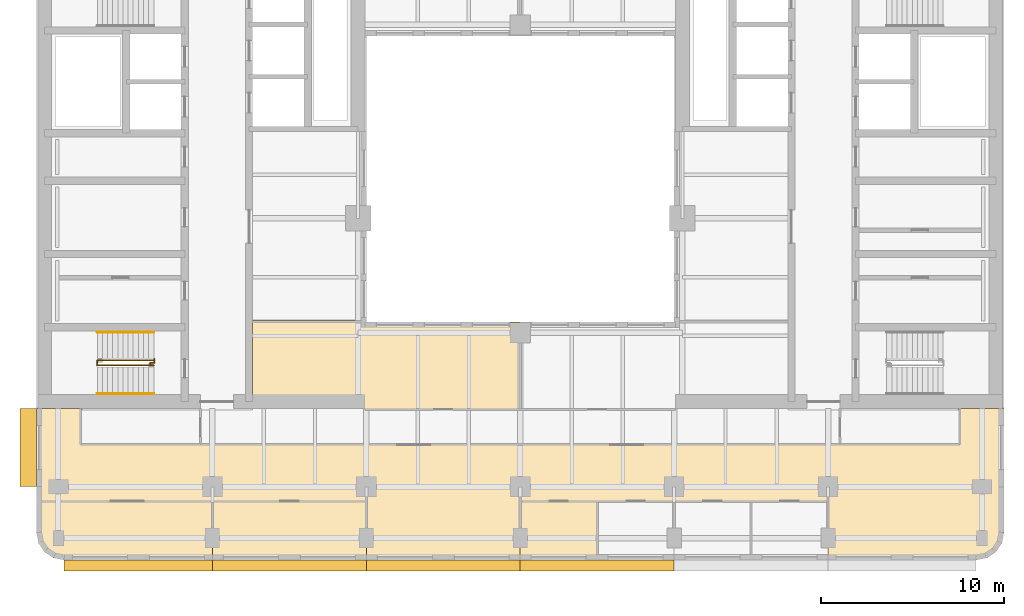
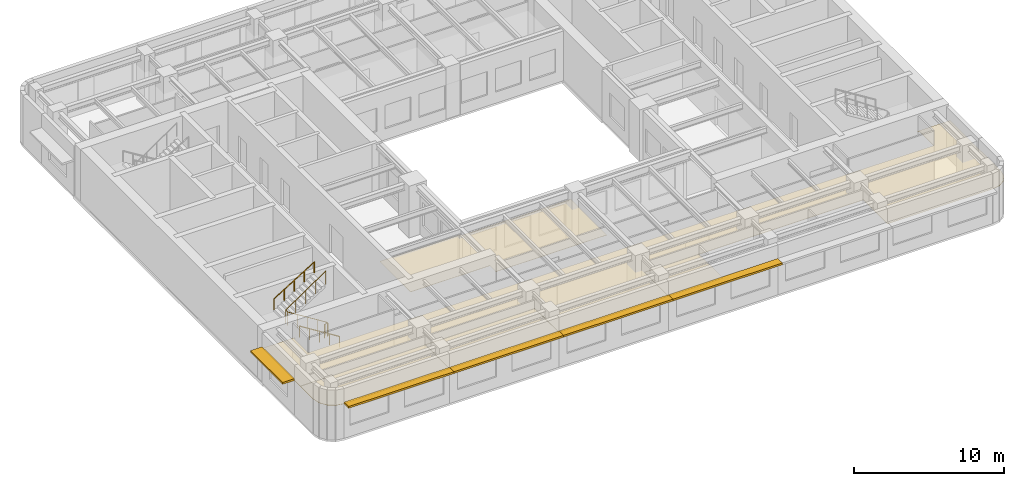
# One storey, part 9 of 11: 5 coverings, 5 shading devices, 4 railings.
"""IFC4 building model written with IfcOpenShell, lengths in metres."""

from ifc_helpers import new_model, si_unit, direction, frame, origin, origin_2d, place, context, subcontext, project, spatial, polyline, rectangle, circle, outline, extrude, material, layer, layer_set, type_object, element, save


model = new_model("IFC4")

# Units and contexts
model_context = context("Model", 3, precision=1e-05, world=origin(), true_north=direction((0.0, 1.0)))
body_context = subcontext(model_context, "Body", "Model", "MODEL_VIEW")
ifc_project = project(units=[si_unit("LENGTHUNIT", "METRE"), si_unit("AREAUNIT", "SQUARE_METRE"), si_unit("VOLUMEUNIT", "CUBIC_METRE"), si_unit("PLANEANGLEUNIT", "RADIAN"), si_unit("MASSUNIT", "GRAM", prefix="KILO")], contexts=[model_context])

# Site, building, storey
site_placement = place(None, origin())
site = spatial("IfcSite", under=ifc_project, at=site_placement, CompositionType="ELEMENT")
building_placement = place(site_placement, origin())
building = spatial("IfcBuilding", under=site, at=building_placement, Name="Claustro Exchange Tower", CompositionType="ELEMENT")
storey_placement = place(building_placement, frame((0.0, 0.0, 228.0)))
storey = spatial("IfcBuildingStorey", under=building, at=storey_placement, Name="L52", CompositionType="ELEMENT", Elevation=228.0)

# Coverings
ifc_material_1 = material(Name="Perforated metal ceiling tiles", Category="steel")
ifc_layer_1 = layer(ifc_material_1, 0.030029296875)
ifc_layer_set_1 = layer_set([ifc_layer_1], Name="Perforated metal ceiling tiles")
covering_type_1 = type_object("IfcCoveringType", Name="CL1 suspended metal ceiling", PredefinedType="CEILING", material=ifc_layer_set_1)
covering_1_placement = place(storey_placement, frame((0.0, 0.0, 2.800048828125)))
element("IfcCovering", 1, at=covering_1_placement, inside=storey, type_object=covering_type_1, Name="Ceiling CL1 L52-07", PredefinedType="CEILING", context=body_context, shape_type="SweptSolid", body=[
    extrude(outline(polyline([(1.199951171875, 10.699951171875), (1.199951171875, 12.60009765625), (1.294921875, 12.60009765625), (1.294921875, 12.675048828125), (-1.125, 12.675048828125), (-1.125, 12.695068359375), (-1.199951171875, 12.695068359375), (-1.199951171875, 7.60009765625), (16.800048828125, 7.60009765625), (16.800048828125, 4.39990234375), (25.199951171875, 4.39990234375), (25.199951171875, 7.60009765625), (42.0, 7.60009765625), (42.0, 4.39990234375), (50.10009765625, 4.39990234375), (50.674072265625, 4.51416015625), (51.16064453125, 4.83935546875), (51.48583984375, 5.325927734375), (51.60009765625, 5.89990234375), (51.60009765625, 12.695068359375), (51.52490234375, 12.695068359375), (51.52490234375, 12.675048828125), (49.10498046875, 12.675048828125), (49.10498046875, 12.60009765625), (49.199951171875, 12.60009765625), (49.199951171875, 10.699951171875), (1.199951171875, 10.699951171875)])), origin(), (0.0, 0.0, 1.0), 0.030029296875),
])
ifc_material_2 = material(Name="Gypsum board ceiling", Category="gypsum board")
ifc_layer_2 = layer(ifc_material_2, 0.02490234375)
ifc_layer_set_2 = layer_set([ifc_layer_2], Name="Gypsum board ceiling")
covering_type_2 = type_object("IfcCoveringType", Name="CL2 plasterboard ceiling", PredefinedType="CEILING", material=ifc_layer_set_2)
covering_2_placement = place(storey_placement, frame((0.0, 0.0, 2.800048828125)))
element("IfcCovering", 2, at=covering_2_placement, inside=storey, type_object=covering_type_2, Name="Ceiling CL2 L52-01", PredefinedType="CEILING", context=body_context, shape_type="SweptSolid", body=[
    extrude(outline(polyline([(-1.085693359375, 5.325927734375), (-0.7607421875, 4.83935546875), (-0.27392578125, 4.51416015625), (0.300048828125, 4.39990234375), (8.39990234375, 4.39990234375), (8.39990234375, 7.60009765625), (-1.199951171875, 7.60009765625), (-1.199951171875, 5.89990234375), (-1.085693359375, 5.325927734375)])), origin(), (0.0, 0.0, 1.0), 0.02490234375),
])
covering_3_placement = place(storey_placement, frame((0.0, 0.0, 2.800048828125)))
element("IfcCovering", 3, at=covering_3_placement, inside=storey, type_object=covering_type_2, Name="Ceiling CL2 L52-02", PredefinedType="CEILING", context=body_context, shape_type="SweptSolid", body=[
    extrude(outline(polyline([(8.39990234375, 4.39990234375), (16.800048828125, 4.39990234375), (16.800048828125, 7.60009765625), (8.39990234375, 7.60009765625), (8.39990234375, 4.39990234375)])), origin(), (0.0, 0.0, 1.0), 0.02490234375),
])
covering_4_placement = place(storey_placement, frame((0.0, 0.0, 2.800048828125)))
element("IfcCovering", 4, at=covering_4_placement, inside=storey, type_object=covering_type_2, Name="Ceiling CL2 L52-03", PredefinedType="CEILING", context=body_context, shape_type="SweptSolid", body=[
    extrude(outline(polyline([(25.199951171875, 4.39990234375), (29.39990234375, 4.39990234375), (29.39990234375, 7.60009765625), (25.199951171875, 7.60009765625), (25.199951171875, 4.39990234375)])), origin(), (0.0, 0.0, 1.0), 0.02490234375),
])
covering_5_placement = place(storey_placement, frame((0.0, 0.0, 2.800048828125)))
element("IfcCovering", 5, at=covering_5_placement, inside=storey, type_object=covering_type_2, Name="Ceiling CL2 L52-11", PredefinedType="CEILING", context=body_context, shape_type="SweptSolid", body=[
    extrude(outline(polyline([(25.199951171875, 17.39990234375), (16.800048828125, 17.39990234375), (16.800048828125, 17.4951171875), (10.60009765625, 17.4951171875), (10.60009765625, 13.405029296875), (16.705078125, 13.405029296875), (16.705078125, 12.60009765625), (25.199951171875, 12.60009765625), (25.199951171875, 17.39990234375)])), origin(), (0.0, 0.0, 1.0), 0.02490234375),
])

# Railings
ifc_material_3 = material(Name="Steel balustrade, painted", Category="steel")
railing_type_1 = type_object("IfcRailingType", Name="GR2 1100 steel stair guard", PredefinedType="GUARDRAIL", material=ifc_material_3)
railing_1_placement = place(storey_placement, frame((5.199951171875, 15.02490234375, 0.175048828125)))
element("IfcRailing", 6, at=railing_1_placement, inside=storey, type_object=railing_type_1, Name="Stair well guard GR2 stair STWA L52", PredefinedType="GUARDRAIL", context=body_context, shape_type="SweptSolid", body=[
    extrude(circle(Radius=0.02392578125, at=origin_2d()), frame((0.0, 0.0, 1.076171875), z_axis=(-0.847979421464, 0.0, 0.530029150871), x_axis=(0.0, -1.0, 0.0)), (0.0, 0.0, 1.0), 3.632080078125),
    extrude(circle(Radius=0.02392578125, at=origin_2d()), frame((-3.079833984375, 0.0, 3.0009765625), z_axis=(0.0, 1.0, 0.0), x_axis=(-1.0, 0.0, 0.0)), (0.0, 0.0, 1.0), 0.275146484375),
    extrude(circle(Radius=0.02392578125, at=origin_2d()), frame((-3.079833984375, 0.275146484375, 3.0009765625), z_axis=(0.826231499792, 0.0, 0.563330727682), x_axis=(0.0, 1.0, 0.0)), (0.0, 0.0, 1.0), 3.7275390625),
    extrude(circle(Radius=0.02099609375, at=origin_2d()), origin(), (0.0, 0.0, 1.0), 1.052001953125),
    extrude(circle(Radius=0.02099609375, at=origin_2d()), frame((-0.77001953125, 0.0, 0.481201171875)), (0.0, 0.0, 1.0), 1.052001953125),
    extrude(circle(Radius=0.02099609375, at=origin_2d()), frame((-1.5400390625, 0.0, 0.96240234375)), (0.0, 0.0, 1.0), 1.052001953125),
    extrude(circle(Radius=0.02099609375, at=origin_2d()), frame((-2.309814453125, 0.0, 1.44384765625)), (0.0, 0.0, 1.0), 1.052001953125),
    extrude(circle(Radius=0.02099609375, at=origin_2d()), frame((-3.079833984375, 0.0, 1.925048828125)), (0.0, 0.0, 1.0), 1.052001953125),
    extrude(circle(Radius=0.02099609375, at=origin_2d()), frame((-3.079833984375, 0.275146484375, 1.925048828125)), (0.0, 0.0, 1.0), 1.052001953125),
    extrude(circle(Radius=0.02099609375, at=origin_2d()), frame((-2.309814453125, 0.275146484375, 2.449951171875)), (0.0, 0.0, 1.0), 1.052001953125),
    extrude(circle(Radius=0.02099609375, at=origin_2d()), frame((-1.5400390625, 0.275146484375, 2.97509765625)), (0.0, 0.0, 1.0), 1.052001953125),
    extrude(circle(Radius=0.02099609375, at=origin_2d()), frame((-0.77001953125, 0.275146484375, 3.5)), (0.0, 0.0, 1.0), 1.052001953125),
    extrude(circle(Radius=0.02099609375, at=origin_2d()), frame((0.0, 0.275146484375, 4.02490234375)), (0.0, 0.0, 1.0), 1.052001953125),
])
railing_2_placement = place(storey_placement, frame((5.0, 15.094970703125, 0.0)))
element("IfcRailing", 7, at=railing_2_placement, inside=storey, type_object=railing_type_1, Name="Stair guard GR2 STWA L52", PredefinedType="GUARDRAIL", context=body_context, shape_type="SweptSolid", body=[
    extrude(circle(Radius=0.02392578125, at=origin_2d()), frame((0.0, 0.0, 1.076171875), z_axis=(0.0, 1.0, 0.0), x_axis=(-1.0, 0.0, 0.0)), (0.0, 0.0, 1.0), 0.067626953125),
    extrude(circle(Radius=0.02392578125, at=origin_2d()), frame((0.0, 0.067626953125, 1.076171875), z_axis=(1.0, 0.0, 0.0), x_axis=(0.0, 1.0, 0.0)), (0.0, 0.0, 1.0), 0.22509765625),
    extrude(circle(Radius=0.02392578125, at=origin_2d()), frame((0.22509765625, 0.067626953125, 1.076171875), z_axis=(0.0, 1.0, 0.0), x_axis=(-1.0, 0.0, 0.0)), (0.0, 0.0, 1.0), 0.21728515625),
    extrude(circle(Radius=0.02099609375, at=origin_2d()), origin(), (0.0, 0.0, 1.0), 1.052001953125),
    extrude(circle(Radius=0.02099609375, at=origin_2d()), frame((0.0, 0.067626953125, 0.0)), (0.0, 0.0, 1.0), 1.052001953125),
    extrude(circle(Radius=0.02099609375, at=origin_2d()), frame((0.22509765625, 0.067626953125, 0.0)), (0.0, 0.0, 1.0), 1.052001953125),
    extrude(circle(Radius=0.02099609375, at=origin_2d()), frame((0.22509765625, 0.284912109375, 0.0)), (0.0, 0.0, 1.0), 1.052001953125),
])
ifc_material_4 = material(Name="Stainless steel tube", Category="steel")
railing_type_2 = type_object("IfcRailingType", Name="HR1 900 stair handrail", PredefinedType="HANDRAIL", material=ifc_material_4)
railing_3_placement = place(storey_placement, frame((5.199951171875, 13.485107421875, 0.175048828125)))
element("IfcRailing", 8, at=railing_3_placement, inside=storey, type_object=railing_type_2, Name="Handrail HR1 stair STWA L52", PredefinedType="HANDRAIL", context=body_context, shape_type="SweptSolid", body=[
    extrude(circle(Radius=0.02392578125, at=origin_2d()), frame((0.0, 0.0, 0.8759765625), z_axis=(-0.847979421464, 0.0, 0.530029150871), x_axis=(0.0, -1.0, 0.0)), (0.0, 0.0, 1.0), 3.632080078125),
    extrude(circle(Radius=0.02099609375, at=origin_2d()), origin(), (0.0, 0.0, 1.0), 0.851806640625),
    extrude(circle(Radius=0.02099609375, at=origin_2d()), frame((-0.77001953125, 0.0, 0.481201171875)), (0.0, 0.0, 1.0), 0.851806640625),
    extrude(circle(Radius=0.02099609375, at=origin_2d()), frame((-1.5400390625, 0.0, 0.96240234375)), (0.0, 0.0, 1.0), 0.851806640625),
    extrude(circle(Radius=0.02099609375, at=origin_2d()), frame((-2.309814453125, 0.0, 1.44384765625)), (0.0, 0.0, 1.0), 0.851806640625),
    extrude(circle(Radius=0.02099609375, at=origin_2d()), frame((-3.079833984375, 0.0, 1.925048828125)), (0.0, 0.0, 1.0), 0.851806640625),
])
railing_4_placement = place(storey_placement, frame((2.1201171875, 16.840087890625, 2.27490234375)))
element("IfcRailing", 9, at=railing_4_placement, inside=storey, type_object=railing_type_2, Name="Handrail HR1 stair STWA L52", PredefinedType="HANDRAIL", context=body_context, shape_type="SweptSolid", body=[
    extrude(circle(Radius=0.02392578125, at=origin_2d()), frame((0.0, 0.0, 0.8759765625), z_axis=(0.847979421464, 0.0, 0.530029150871), x_axis=(0.0, 1.0, 0.0)), (0.0, 0.0, 1.0), 3.632080078125),
    extrude(circle(Radius=0.02099609375, at=origin_2d()), origin(), (0.0, 0.0, 1.0), 0.851806640625),
    extrude(circle(Radius=0.02099609375, at=origin_2d()), frame((0.77001953125, 0.0, 0.481201171875)), (0.0, 0.0, 1.0), 0.851806640625),
    extrude(circle(Radius=0.02099609375, at=origin_2d()), frame((1.5400390625, 0.0, 0.96240234375)), (0.0, 0.0, 1.0), 0.851806640625),
    extrude(circle(Radius=0.02099609375, at=origin_2d()), frame((2.309814453125, 0.0, 1.44384765625)), (0.0, 0.0, 1.0), 0.851806640625),
    extrude(circle(Radius=0.02099609375, at=origin_2d()), frame((3.079833984375, 0.0, 1.925048828125)), (0.0, 0.0, 1.0), 0.851806640625),
])

# Shading devices
ifc_material_5 = material(Name="Concrete HA-40 (C40/50), precast, white cement, acid-etched", Category="concrete")
ifc_layer_3 = layer(ifc_material_5, 0.14990234375)
ifc_layer_set_3 = layer_set([ifc_layer_3], Name="Concrete HA-40 (C40/50), precast, white cement, acid-etched")
shading_device_type_1 = type_object("IfcShadingDeviceType", Name="SS1 600 precast concrete SUNSHADE", PredefinedType="SHUTTER", material=ifc_layer_set_3)
for number, where, z_axis, x_axis, name in (
    (10, (29.39990234375, 4.10009765625, 2.800048828125), (0.0, 0.0, 1.0), (-1.0, 0.0, 0.0), "Precast SUNSHADE SS1 L52"),
    (11, (21.0, 4.10009765625, 2.800048828125), (0.0, 0.0, 1.0), (-1.0, 0.0, 0.0), "Precast SUNSHADE SS1 L52"),
    (12, (12.60009765625, 4.10009765625, 2.800048828125), (0.0, 0.0, 1.0), (-1.0, 0.0, 0.0), "Precast SUNSHADE SS1 L52"),
):
    element("IfcShadingDevice", number, at=place(storey_placement, frame(where, z_axis=z_axis, x_axis=x_axis)), inside=storey, type_object=shading_device_type_1, Name=name, PredefinedType="SHUTTER", context=body_context, shape_type="SweptSolid", body=[
        extrude(rectangle(XDim=8.39990234375, YDim=0.60009765625, at=origin_2d()), origin(), (0.0, 0.0, 1.0), 0.14990234375),
    ])
shading_device_1_placement = place(storey_placement, frame((4.357421875, 4.10009765625, 2.800048828125), z_axis=(0.0, 0.0, 1.0), x_axis=(-1.0, 0.0, 0.0)))
element("IfcShadingDevice", 13, at=shading_device_1_placement, inside=storey, type_object=shading_device_type_1, Name="Precast SUNSHADE SS1 L52", PredefinedType="SHUTTER", context=body_context, shape_type="SweptSolid", body=[
    extrude(rectangle(XDim=8.085205078125, YDim=0.60009765625, at=origin_2d()), origin(), (0.0, 0.0, 1.0), 0.14990234375),
])
ifc_material_6 = material(Name="Concrete HA-40 (C40/50), precast, white cement, acid-etched", Category="concrete")
ifc_layer_4 = layer(ifc_material_6, 0.14990234375)
ifc_layer_set_4 = layer_set([ifc_layer_4], Name="Concrete HA-40 (C40/50), precast, white cement, acid-etched")
shading_device_type_2 = type_object("IfcShadingDeviceType", Name="SS2 900 precast concrete SUNSHADE", PredefinedType="SHUTTER", material=ifc_layer_set_4)
shading_device_2_placement = place(storey_placement, frame((-1.64990234375, 10.53759765625, 2.800048828125), z_axis=(0.0, 0.0, 1.0), x_axis=(0.0, 1.0, 0.0)))
element("IfcShadingDevice", 14, at=shading_device_2_placement, inside=storey, type_object=shading_device_type_2, Name="Precast SUNSHADE SS2 L52", PredefinedType="SHUTTER", context=body_context, shape_type="SweptSolid", body=[
    extrude(rectangle(XDim=4.27490234375, YDim=0.89990234375, at=origin_2d()), origin(), (0.0, 0.0, 1.0), 0.14990234375),
])

save(model, "model.ifc")
